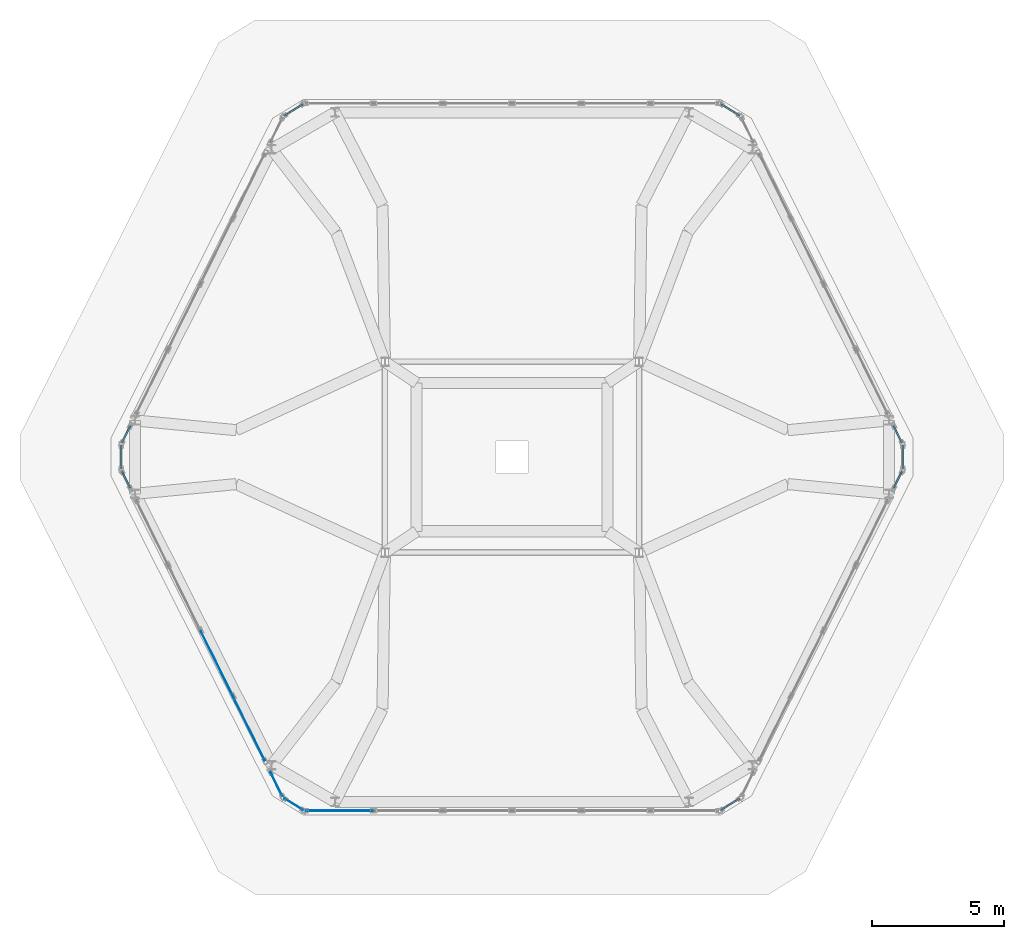
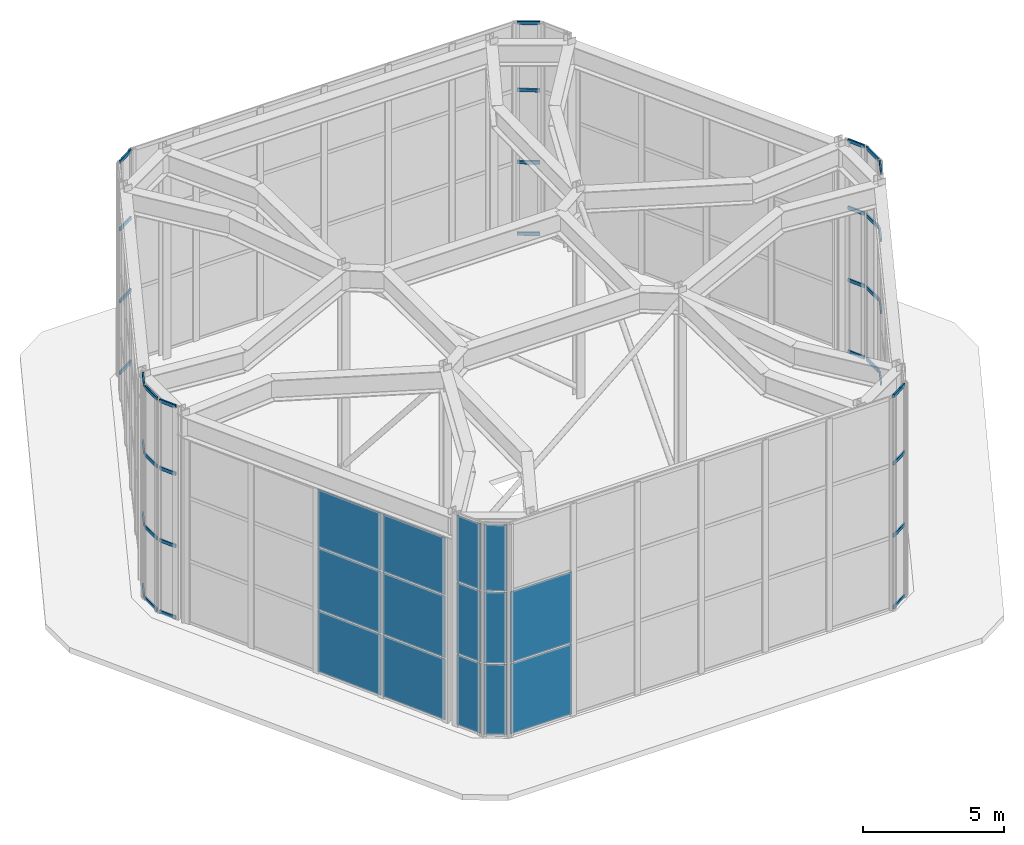
# One storey, part 8 of 10: 36 members, 14 plates, 13 elements without a shape of their own.
"""IFC4 building model written with IfcOpenShell, lengths in metres."""

from ifc_helpers import new_model, si_unit, direction, frame, origin, origin_2d, place, context, subcontext, project, spatial, rectangle, hollow_rectangle, extrude, material, layer, layer_set, material_profile, profile_set, type_object, element, aggregate, save


model = new_model("IFC4")

# Units and contexts
model_context = context("Model", 3, precision=1e-05, world=origin(), true_north=direction((0.0, 1.0)))
body_context = subcontext(model_context, "Body", "Model", "MODEL_VIEW")
ifc_project = project(units=[si_unit("LENGTHUNIT", "METRE"), si_unit("AREAUNIT", "SQUARE_METRE"), si_unit("VOLUMEUNIT", "CUBIC_METRE"), si_unit("PLANEANGLEUNIT", "RADIAN"), si_unit("MASSUNIT", "GRAM", prefix="KILO")], contexts=[model_context])

# Site, building, storey
site_placement = place(None, origin())
site = spatial("IfcSite", under=ifc_project, at=site_placement, CompositionType="ELEMENT")
building_placement = place(site_placement, origin())
building = spatial("IfcBuilding", under=site, at=building_placement, Name="Cinnabar Lancet Tower", CompositionType="ELEMENT")
storey_placement = place(building_placement, frame((0.0, 0.0, 314.675048828125)))
storey = spatial("IfcBuildingStorey", under=building, at=storey_placement, Name="L81", CompositionType="ELEMENT", Elevation=314.675048828125)

# Curtain wall, members
ifc_material_1 = material(Name="Thermally broken bronze-anodized aluminium and low-E glass", Category="aluminium")
ifc_layer_1 = layer(ifc_material_1, 0.179931640625)
ifc_layer_set_1 = layer_set([ifc_layer_1], Name="Thermally broken bronze-anodized aluminium and low-E glass")
curtain_wall_type = type_object("IfcCurtainWallType", Name="ENV-CW-SYS-05", PredefinedType="NOTDEFINED", material=ifc_layer_set_1)
curtain_wall_1_placement = place(storey_placement, origin())
curtain_wall_1 = element("IfcCurtainWall", 1, at=curtain_wall_1_placement, inside=storey, type_object=curtain_wall_type, Name="L81 Faceted Lancet Crown Curtain Wall 3", PredefinedType="NOTDEFINED")
ifc_material_2 = material(Name="Anodized architectural aluminium 6063-T6", Category="aluminium")
ifc_material_profile = material_profile(ifc_material_2, hollow_rectangle(XDim=0.06494140625, YDim=0.14990234375, WallThickness=0.00390625, InnerFilletRadius=0.001953125, OuterFilletRadius=0.006103515625, at=origin_2d()), Name="CW-TRN 150x65x4")
ifc_profile_set = profile_set([ifc_material_profile], Name="Anodized architectural aluminium 6063-T6")
member_type = type_object("IfcMemberType", Name="ENV-CW-TRN-160", PredefinedType="USERDEFINED", material=ifc_profile_set)
member_1_placement = place(storey_placement, frame((40.294921875, 12.481689453125, 0.030029296875), z_axis=(0.849259877665, 0.527975056408, 0.0), x_axis=(-0.527975056408, 0.849259877665, 0.0)))
member_1 = element("IfcMember", 2, at=member_1_placement, type_object=member_type, Name="CW-05 transom 1.1", ObjectType="TRANSOM", PredefinedType="USERDEFINED", context=body_context, shape_type="SweptSolid", body=[
    extrude(hollow_rectangle(XDim=0.06494140625, YDim=0.14990234375, WallThickness=0.00390625, InnerFilletRadius=0.001953125, OuterFilletRadius=0.006103515625, at=origin_2d()), origin(), (0.0, 0.0, 1.0), 0.813720703125),
])
member_2_placement = place(storey_placement, frame((40.294921875, 12.481689453125, 3.119873046875), z_axis=(0.849259877665, 0.527975056408, 0.0), x_axis=(-0.527975056408, 0.849259877665, 0.0)))
member_2 = element("IfcMember", 3, at=member_2_placement, type_object=member_type, Name="CW-05 transom 1.2", ObjectType="TRANSOM", PredefinedType="USERDEFINED", context=body_context, shape_type="SweptSolid", body=[
    extrude(hollow_rectangle(XDim=0.06494140625, YDim=0.14990234375, WallThickness=0.00390625, InnerFilletRadius=0.001953125, OuterFilletRadius=0.006103515625, at=origin_2d()), origin(), (0.0, 0.0, 1.0), 0.813720703125),
])
member_3_placement = place(storey_placement, frame((40.294921875, 12.481689453125, 6.239013671875), z_axis=(0.849259877665, 0.527975056408, 0.0), x_axis=(-0.527975056408, 0.849259877665, 0.0)))
member_3 = element("IfcMember", 4, at=member_3_placement, type_object=member_type, Name="CW-05 transom 1.3", ObjectType="TRANSOM", PredefinedType="USERDEFINED", context=body_context, shape_type="SweptSolid", body=[
    extrude(hollow_rectangle(XDim=0.06494140625, YDim=0.14990234375, WallThickness=0.00390625, InnerFilletRadius=0.001953125, OuterFilletRadius=0.006103515625, at=origin_2d()), origin(), (0.0, 0.0, 1.0), 0.813720703125),
])
member_4_placement = place(storey_placement, frame((40.294921875, 12.481689453125, 9.14501953125), z_axis=(0.849259877665, 0.527975056408, 0.0), x_axis=(-0.527975056408, 0.849259877665, 0.0)))
member_4 = element("IfcMember", 5, at=member_4_placement, type_object=member_type, Name="CW-05 transom 1.4", ObjectType="TRANSOM", PredefinedType="USERDEFINED", context=body_context, shape_type="SweptSolid", body=[
    extrude(hollow_rectangle(XDim=0.06494140625, YDim=0.14990234375, WallThickness=0.00390625, InnerFilletRadius=0.001953125, OuterFilletRadius=0.006103515625, at=origin_2d()), origin(), (0.0, 0.0, 1.0), 0.813720703125),
])
aggregate(curtain_wall_1, [member_1, member_2, member_3, member_4])

curtain_wall_2_placement = place(storey_placement, origin())
curtain_wall_2 = element("IfcCurtainWall", 6, at=curtain_wall_2_placement, inside=storey, type_object=curtain_wall_type, Name="L81 Faceted Lancet Crown Curtain Wall 6", PredefinedType="NOTDEFINED")
member_5_placement = place(storey_placement, frame((46.8125, 24.6337890625, 0.030029296875), z_axis=(0.442825912103, 0.896607612933, 0.0), x_axis=(-0.896607612933, 0.442825912103, 0.0)))
member_5 = element("IfcMember", 7, at=member_5_placement, type_object=member_type, Name="CW-05 transom 1.1", ObjectType="TRANSOM", PredefinedType="USERDEFINED", context=body_context, shape_type="SweptSolid", body=[
    extrude(hollow_rectangle(XDim=0.06494140625, YDim=0.14990234375, WallThickness=0.00390625, InnerFilletRadius=0.001953125, OuterFilletRadius=0.006103515625, at=origin_2d()), origin(), (0.0, 0.0, 1.0), 0.69091796875),
])
member_6_placement = place(storey_placement, frame((46.8125, 24.6337890625, 3.119873046875), z_axis=(0.442825912103, 0.896607612933, 0.0), x_axis=(-0.896607612933, 0.442825912103, 0.0)))
member_6 = element("IfcMember", 8, at=member_6_placement, type_object=member_type, Name="CW-05 transom 1.2", ObjectType="TRANSOM", PredefinedType="USERDEFINED", context=body_context, shape_type="SweptSolid", body=[
    extrude(hollow_rectangle(XDim=0.06494140625, YDim=0.14990234375, WallThickness=0.00390625, InnerFilletRadius=0.001953125, OuterFilletRadius=0.006103515625, at=origin_2d()), origin(), (0.0, 0.0, 1.0), 0.69091796875),
])
member_7_placement = place(storey_placement, frame((46.8125, 24.6337890625, 6.239013671875), z_axis=(0.442825912103, 0.896607612933, 0.0), x_axis=(-0.896607612933, 0.442825912103, 0.0)))
member_7 = element("IfcMember", 9, at=member_7_placement, type_object=member_type, Name="CW-05 transom 1.3", ObjectType="TRANSOM", PredefinedType="USERDEFINED", context=body_context, shape_type="SweptSolid", body=[
    extrude(hollow_rectangle(XDim=0.06494140625, YDim=0.14990234375, WallThickness=0.00390625, InnerFilletRadius=0.001953125, OuterFilletRadius=0.006103515625, at=origin_2d()), origin(), (0.0, 0.0, 1.0), 0.69091796875),
])
member_8_placement = place(storey_placement, frame((46.8125, 24.6337890625, 9.14501953125), z_axis=(0.442825912103, 0.896607612933, 0.0), x_axis=(-0.896607612933, 0.442825912103, 0.0)))
member_8 = element("IfcMember", 10, at=member_8_placement, type_object=member_type, Name="CW-05 transom 1.4", ObjectType="TRANSOM", PredefinedType="USERDEFINED", context=body_context, shape_type="SweptSolid", body=[
    extrude(hollow_rectangle(XDim=0.06494140625, YDim=0.14990234375, WallThickness=0.00390625, InnerFilletRadius=0.001953125, OuterFilletRadius=0.006103515625, at=origin_2d()), origin(), (0.0, 0.0, 1.0), 0.69091796875),
])
aggregate(curtain_wall_2, [member_5, member_6, member_7, member_8])

curtain_wall_3_placement = place(storey_placement, origin())
curtain_wall_3 = element("IfcCurtainWall", 11, at=curtain_wall_3_placement, inside=storey, type_object=curtain_wall_type, Name="L81 Faceted Lancet Crown Curtain Wall 7", PredefinedType="NOTDEFINED")
member_9_placement = place(storey_placement, frame((47.14501953125, 25.366943359375, 0.030029296875), z_axis=(0.0, 1.0, 0.0), x_axis=(-1.0, 0.0, 0.0)))
member_9 = element("IfcMember", 12, at=member_9_placement, type_object=member_type, Name="CW-05 transom 1.1", ObjectType="TRANSOM", PredefinedType="USERDEFINED", context=body_context, shape_type="SweptSolid", body=[
    extrude(hollow_rectangle(XDim=0.06494140625, YDim=0.14990234375, WallThickness=0.00390625, InnerFilletRadius=0.001953125, OuterFilletRadius=0.006103515625, at=origin_2d()), origin(), (0.0, 0.0, 1.0), 0.865966796875),
])
member_10_placement = place(storey_placement, frame((47.14501953125, 25.366943359375, 3.119873046875), z_axis=(0.0, 1.0, 0.0), x_axis=(-1.0, 0.0, 0.0)))
member_10 = element("IfcMember", 13, at=member_10_placement, type_object=member_type, Name="CW-05 transom 1.2", ObjectType="TRANSOM", PredefinedType="USERDEFINED", context=body_context, shape_type="SweptSolid", body=[
    extrude(hollow_rectangle(XDim=0.06494140625, YDim=0.14990234375, WallThickness=0.00390625, InnerFilletRadius=0.001953125, OuterFilletRadius=0.006103515625, at=origin_2d()), origin(), (0.0, 0.0, 1.0), 0.865966796875),
])
member_11_placement = place(storey_placement, frame((47.14501953125, 25.366943359375, 6.239013671875), z_axis=(0.0, 1.0, 0.0), x_axis=(-1.0, 0.0, 0.0)))
member_11 = element("IfcMember", 14, at=member_11_placement, type_object=member_type, Name="CW-05 transom 1.3", ObjectType="TRANSOM", PredefinedType="USERDEFINED", context=body_context, shape_type="SweptSolid", body=[
    extrude(hollow_rectangle(XDim=0.06494140625, YDim=0.14990234375, WallThickness=0.00390625, InnerFilletRadius=0.001953125, OuterFilletRadius=0.006103515625, at=origin_2d()), origin(), (0.0, 0.0, 1.0), 0.865966796875),
])
member_12_placement = place(storey_placement, frame((47.14501953125, 25.366943359375, 9.14501953125), z_axis=(0.0, 1.0, 0.0), x_axis=(-1.0, 0.0, 0.0)))
member_12 = element("IfcMember", 15, at=member_12_placement, type_object=member_type, Name="CW-05 transom 1.4", ObjectType="TRANSOM", PredefinedType="USERDEFINED", context=body_context, shape_type="SweptSolid", body=[
    extrude(hollow_rectangle(XDim=0.06494140625, YDim=0.14990234375, WallThickness=0.00390625, InnerFilletRadius=0.001953125, OuterFilletRadius=0.006103515625, at=origin_2d()), origin(), (0.0, 0.0, 1.0), 0.865966796875),
])
aggregate(curtain_wall_3, [member_9, member_10, member_11, member_12])

curtain_wall_4_placement = place(storey_placement, origin())
curtain_wall_4 = element("IfcCurtainWall", 16, at=curtain_wall_4_placement, inside=storey, type_object=curtain_wall_type, Name="L81 Faceted Lancet Crown Curtain Wall 8", PredefinedType="NOTDEFINED")
member_13_placement = place(storey_placement, frame((47.118408203125, 26.3466796875, 0.030029296875), z_axis=(-0.442685631837, 0.896676882364, 0.0), x_axis=(-0.896676882364, -0.442685631837, 0.0)))
member_13 = element("IfcMember", 17, at=member_13_placement, type_object=member_type, Name="CW-05 transom 1.1", ObjectType="TRANSOM", PredefinedType="USERDEFINED", context=body_context, shape_type="SweptSolid", body=[
    extrude(hollow_rectangle(XDim=0.06494140625, YDim=0.14990234375, WallThickness=0.00390625, InnerFilletRadius=0.001953125, OuterFilletRadius=0.006103515625, at=origin_2d()), origin(), (0.0, 0.0, 1.0), 0.69091796875),
])
member_14_placement = place(storey_placement, frame((47.118408203125, 26.3466796875, 3.119873046875), z_axis=(-0.442685631837, 0.896676882364, 0.0), x_axis=(-0.896676882364, -0.442685631837, 0.0)))
member_14 = element("IfcMember", 18, at=member_14_placement, type_object=member_type, Name="CW-05 transom 1.2", ObjectType="TRANSOM", PredefinedType="USERDEFINED", context=body_context, shape_type="SweptSolid", body=[
    extrude(hollow_rectangle(XDim=0.06494140625, YDim=0.14990234375, WallThickness=0.00390625, InnerFilletRadius=0.001953125, OuterFilletRadius=0.006103515625, at=origin_2d()), origin(), (0.0, 0.0, 1.0), 0.69091796875),
])
member_15_placement = place(storey_placement, frame((47.118408203125, 26.3466796875, 6.239013671875), z_axis=(-0.442685631837, 0.896676882364, 0.0), x_axis=(-0.896676882364, -0.442685631837, 0.0)))
member_15 = element("IfcMember", 19, at=member_15_placement, type_object=member_type, Name="CW-05 transom 1.3", ObjectType="TRANSOM", PredefinedType="USERDEFINED", context=body_context, shape_type="SweptSolid", body=[
    extrude(hollow_rectangle(XDim=0.06494140625, YDim=0.14990234375, WallThickness=0.00390625, InnerFilletRadius=0.001953125, OuterFilletRadius=0.006103515625, at=origin_2d()), origin(), (0.0, 0.0, 1.0), 0.69091796875),
])
member_16_placement = place(storey_placement, frame((47.118408203125, 26.3466796875, 9.14501953125), z_axis=(-0.442685631837, 0.896676882364, 0.0), x_axis=(-0.896676882364, -0.442685631837, 0.0)))
member_16 = element("IfcMember", 20, at=member_16_placement, type_object=member_type, Name="CW-05 transom 1.4", ObjectType="TRANSOM", PredefinedType="USERDEFINED", context=body_context, shape_type="SweptSolid", body=[
    extrude(hollow_rectangle(XDim=0.06494140625, YDim=0.14990234375, WallThickness=0.00390625, InnerFilletRadius=0.001953125, OuterFilletRadius=0.006103515625, at=origin_2d()), origin(), (0.0, 0.0, 1.0), 0.69091796875),
])
aggregate(curtain_wall_4, [member_13, member_14, member_15, member_16])

curtain_wall_5_placement = place(storey_placement, origin())
curtain_wall_5 = element("IfcCurtainWall", 21, at=curtain_wall_5_placement, inside=storey, type_object=curtain_wall_type, Name="L81 Faceted Lancet Crown Curtain Wall 11", PredefinedType="NOTDEFINED")
member_17_placement = place(storey_placement, frame((40.986083984375, 38.688720703125, 0.030029296875), z_axis=(-0.849259877665, 0.527975056408, 0.0), x_axis=(-0.527975056408, -0.849259877665, 0.0)))
member_17 = element("IfcMember", 22, at=member_17_placement, type_object=member_type, Name="CW-05 transom 1.1", ObjectType="TRANSOM", PredefinedType="USERDEFINED", context=body_context, shape_type="SweptSolid", body=[
    extrude(hollow_rectangle(XDim=0.06494140625, YDim=0.14990234375, WallThickness=0.00390625, InnerFilletRadius=0.001953125, OuterFilletRadius=0.006103515625, at=origin_2d()), origin(), (0.0, 0.0, 1.0), 0.813720703125),
])
member_18_placement = place(storey_placement, frame((40.986083984375, 38.688720703125, 3.119873046875), z_axis=(-0.849259877665, 0.527975056408, 0.0), x_axis=(-0.527975056408, -0.849259877665, 0.0)))
member_18 = element("IfcMember", 23, at=member_18_placement, type_object=member_type, Name="CW-05 transom 1.2", ObjectType="TRANSOM", PredefinedType="USERDEFINED", context=body_context, shape_type="SweptSolid", body=[
    extrude(hollow_rectangle(XDim=0.06494140625, YDim=0.14990234375, WallThickness=0.00390625, InnerFilletRadius=0.001953125, OuterFilletRadius=0.006103515625, at=origin_2d()), origin(), (0.0, 0.0, 1.0), 0.813720703125),
])
member_19_placement = place(storey_placement, frame((40.986083984375, 38.688720703125, 6.239013671875), z_axis=(-0.849259877665, 0.527975056408, 0.0), x_axis=(-0.527975056408, -0.849259877665, 0.0)))
member_19 = element("IfcMember", 24, at=member_19_placement, type_object=member_type, Name="CW-05 transom 1.3", ObjectType="TRANSOM", PredefinedType="USERDEFINED", context=body_context, shape_type="SweptSolid", body=[
    extrude(hollow_rectangle(XDim=0.06494140625, YDim=0.14990234375, WallThickness=0.00390625, InnerFilletRadius=0.001953125, OuterFilletRadius=0.006103515625, at=origin_2d()), origin(), (0.0, 0.0, 1.0), 0.813720703125),
])
member_20_placement = place(storey_placement, frame((40.986083984375, 38.688720703125, 9.14501953125), z_axis=(-0.849259877665, 0.527975056408, 0.0), x_axis=(-0.527975056408, -0.849259877665, 0.0)))
member_20 = element("IfcMember", 25, at=member_20_placement, type_object=member_type, Name="CW-05 transom 1.4", ObjectType="TRANSOM", PredefinedType="USERDEFINED", context=body_context, shape_type="SweptSolid", body=[
    extrude(hollow_rectangle(XDim=0.06494140625, YDim=0.14990234375, WallThickness=0.00390625, InnerFilletRadius=0.001953125, OuterFilletRadius=0.006103515625, at=origin_2d()), origin(), (0.0, 0.0, 1.0), 0.813720703125),
])
aggregate(curtain_wall_5, [member_17, member_18, member_19, member_20])

curtain_wall_6_placement = place(storey_placement, origin())
curtain_wall_6 = element("IfcCurtainWall", 26, at=curtain_wall_6_placement, inside=storey, type_object=curtain_wall_type, Name="L81 Faceted Lancet Crown Curtain Wall 13", PredefinedType="NOTDEFINED")
member_21_placement = place(storey_placement, frame((24.505126953125, 39.118408203125, 0.030029296875), z_axis=(-0.849259877665, -0.527975056408, 0.0), x_axis=(0.527975056408, -0.849259877665, 0.0)))
member_21 = element("IfcMember", 27, at=member_21_placement, type_object=member_type, Name="CW-05 transom 1.1", ObjectType="TRANSOM", PredefinedType="USERDEFINED", context=body_context, shape_type="SweptSolid", body=[
    extrude(hollow_rectangle(XDim=0.06494140625, YDim=0.14990234375, WallThickness=0.00390625, InnerFilletRadius=0.001953125, OuterFilletRadius=0.006103515625, at=origin_2d()), origin(), (0.0, 0.0, 1.0), 0.813720703125),
])
member_22_placement = place(storey_placement, frame((24.505126953125, 39.118408203125, 3.119873046875), z_axis=(-0.849259877665, -0.527975056408, 0.0), x_axis=(0.527975056408, -0.849259877665, 0.0)))
member_22 = element("IfcMember", 28, at=member_22_placement, type_object=member_type, Name="CW-05 transom 1.2", ObjectType="TRANSOM", PredefinedType="USERDEFINED", context=body_context, shape_type="SweptSolid", body=[
    extrude(hollow_rectangle(XDim=0.06494140625, YDim=0.14990234375, WallThickness=0.00390625, InnerFilletRadius=0.001953125, OuterFilletRadius=0.006103515625, at=origin_2d()), origin(), (0.0, 0.0, 1.0), 0.813720703125),
])
member_23_placement = place(storey_placement, frame((24.505126953125, 39.118408203125, 6.239013671875), z_axis=(-0.849259877665, -0.527975056408, 0.0), x_axis=(0.527975056408, -0.849259877665, 0.0)))
member_23 = element("IfcMember", 29, at=member_23_placement, type_object=member_type, Name="CW-05 transom 1.3", ObjectType="TRANSOM", PredefinedType="USERDEFINED", context=body_context, shape_type="SweptSolid", body=[
    extrude(hollow_rectangle(XDim=0.06494140625, YDim=0.14990234375, WallThickness=0.00390625, InnerFilletRadius=0.001953125, OuterFilletRadius=0.006103515625, at=origin_2d()), origin(), (0.0, 0.0, 1.0), 0.813720703125),
])
member_24_placement = place(storey_placement, frame((24.505126953125, 39.118408203125, 9.14501953125), z_axis=(-0.849259877665, -0.527975056408, 0.0), x_axis=(0.527975056408, -0.849259877665, 0.0)))
member_24 = element("IfcMember", 30, at=member_24_placement, type_object=member_type, Name="CW-05 transom 1.4", ObjectType="TRANSOM", PredefinedType="USERDEFINED", context=body_context, shape_type="SweptSolid", body=[
    extrude(hollow_rectangle(XDim=0.06494140625, YDim=0.14990234375, WallThickness=0.00390625, InnerFilletRadius=0.001953125, OuterFilletRadius=0.006103515625, at=origin_2d()), origin(), (0.0, 0.0, 1.0), 0.813720703125),
])
aggregate(curtain_wall_6, [member_21, member_22, member_23, member_24])

curtain_wall_7_placement = place(storey_placement, origin())
curtain_wall_7 = element("IfcCurtainWall", 31, at=curtain_wall_7_placement, inside=storey, type_object=curtain_wall_type, Name="L81 Faceted Lancet Crown Curtain Wall 16", PredefinedType="NOTDEFINED")
member_25_placement = place(storey_placement, frame((17.987548828125, 26.96630859375, 0.030029296875), z_axis=(-0.442685631837, -0.896676882364, 0.0), x_axis=(0.896676882364, -0.442685631837, 0.0)))
member_25 = element("IfcMember", 32, at=member_25_placement, type_object=member_type, Name="CW-05 transom 1.1", ObjectType="TRANSOM", PredefinedType="USERDEFINED", context=body_context, shape_type="SweptSolid", body=[
    extrude(hollow_rectangle(XDim=0.06494140625, YDim=0.14990234375, WallThickness=0.00390625, InnerFilletRadius=0.001953125, OuterFilletRadius=0.006103515625, at=origin_2d()), origin(), (0.0, 0.0, 1.0), 0.69091796875),
])
member_26_placement = place(storey_placement, frame((17.987548828125, 26.96630859375, 3.119873046875), z_axis=(-0.442685631837, -0.896676882364, 0.0), x_axis=(0.896676882364, -0.442685631837, 0.0)))
member_26 = element("IfcMember", 33, at=member_26_placement, type_object=member_type, Name="CW-05 transom 1.2", ObjectType="TRANSOM", PredefinedType="USERDEFINED", context=body_context, shape_type="SweptSolid", body=[
    extrude(hollow_rectangle(XDim=0.06494140625, YDim=0.14990234375, WallThickness=0.00390625, InnerFilletRadius=0.001953125, OuterFilletRadius=0.006103515625, at=origin_2d()), origin(), (0.0, 0.0, 1.0), 0.69091796875),
])
member_27_placement = place(storey_placement, frame((17.987548828125, 26.96630859375, 6.239013671875), z_axis=(-0.442685631837, -0.896676882364, 0.0), x_axis=(0.896676882364, -0.442685631837, 0.0)))
member_27 = element("IfcMember", 34, at=member_27_placement, type_object=member_type, Name="CW-05 transom 1.3", ObjectType="TRANSOM", PredefinedType="USERDEFINED", context=body_context, shape_type="SweptSolid", body=[
    extrude(hollow_rectangle(XDim=0.06494140625, YDim=0.14990234375, WallThickness=0.00390625, InnerFilletRadius=0.001953125, OuterFilletRadius=0.006103515625, at=origin_2d()), origin(), (0.0, 0.0, 1.0), 0.69091796875),
])
member_28_placement = place(storey_placement, frame((17.987548828125, 26.96630859375, 9.14501953125), z_axis=(-0.442685631837, -0.896676882364, 0.0), x_axis=(0.896676882364, -0.442685631837, 0.0)))
member_28 = element("IfcMember", 35, at=member_28_placement, type_object=member_type, Name="CW-05 transom 1.4", ObjectType="TRANSOM", PredefinedType="USERDEFINED", context=body_context, shape_type="SweptSolid", body=[
    extrude(hollow_rectangle(XDim=0.06494140625, YDim=0.14990234375, WallThickness=0.00390625, InnerFilletRadius=0.001953125, OuterFilletRadius=0.006103515625, at=origin_2d()), origin(), (0.0, 0.0, 1.0), 0.69091796875),
])
aggregate(curtain_wall_7, [member_25, member_26, member_27, member_28])

curtain_wall_8_placement = place(storey_placement, origin())
curtain_wall_8 = element("IfcCurtainWall", 36, at=curtain_wall_8_placement, inside=storey, type_object=curtain_wall_type, Name="L81 Faceted Lancet Crown Curtain Wall 17", PredefinedType="NOTDEFINED")
member_29_placement = place(storey_placement, frame((17.655029296875, 26.23291015625, 0.030029296875), z_axis=(0.0, -1.0, 0.0), x_axis=(1.0, 0.0, 0.0)))
member_29 = element("IfcMember", 37, at=member_29_placement, type_object=member_type, Name="CW-05 transom 1.1", ObjectType="TRANSOM", PredefinedType="USERDEFINED", context=body_context, shape_type="SweptSolid", body=[
    extrude(hollow_rectangle(XDim=0.06494140625, YDim=0.14990234375, WallThickness=0.00390625, InnerFilletRadius=0.001953125, OuterFilletRadius=0.006103515625, at=origin_2d()), origin(), (0.0, 0.0, 1.0), 0.865966796875),
])
member_30_placement = place(storey_placement, frame((17.655029296875, 26.23291015625, 3.119873046875), z_axis=(0.0, -1.0, 0.0), x_axis=(1.0, 0.0, 0.0)))
member_30 = element("IfcMember", 38, at=member_30_placement, type_object=member_type, Name="CW-05 transom 1.2", ObjectType="TRANSOM", PredefinedType="USERDEFINED", context=body_context, shape_type="SweptSolid", body=[
    extrude(hollow_rectangle(XDim=0.06494140625, YDim=0.14990234375, WallThickness=0.00390625, InnerFilletRadius=0.001953125, OuterFilletRadius=0.006103515625, at=origin_2d()), origin(), (0.0, 0.0, 1.0), 0.865966796875),
])
member_31_placement = place(storey_placement, frame((17.655029296875, 26.23291015625, 6.239013671875), z_axis=(0.0, -1.0, 0.0), x_axis=(1.0, 0.0, 0.0)))
member_31 = element("IfcMember", 39, at=member_31_placement, type_object=member_type, Name="CW-05 transom 1.3", ObjectType="TRANSOM", PredefinedType="USERDEFINED", context=body_context, shape_type="SweptSolid", body=[
    extrude(hollow_rectangle(XDim=0.06494140625, YDim=0.14990234375, WallThickness=0.00390625, InnerFilletRadius=0.001953125, OuterFilletRadius=0.006103515625, at=origin_2d()), origin(), (0.0, 0.0, 1.0), 0.865966796875),
])
member_32_placement = place(storey_placement, frame((17.655029296875, 26.23291015625, 9.14501953125), z_axis=(0.0, -1.0, 0.0), x_axis=(1.0, 0.0, 0.0)))
member_32 = element("IfcMember", 40, at=member_32_placement, type_object=member_type, Name="CW-05 transom 1.4", ObjectType="TRANSOM", PredefinedType="USERDEFINED", context=body_context, shape_type="SweptSolid", body=[
    extrude(hollow_rectangle(XDim=0.06494140625, YDim=0.14990234375, WallThickness=0.00390625, InnerFilletRadius=0.001953125, OuterFilletRadius=0.006103515625, at=origin_2d()), origin(), (0.0, 0.0, 1.0), 0.865966796875),
])
aggregate(curtain_wall_8, [member_29, member_30, member_31, member_32])

curtain_wall_9_placement = place(storey_placement, origin())
curtain_wall_9 = element("IfcCurtainWall", 41, at=curtain_wall_9_placement, inside=storey, type_object=curtain_wall_type, Name="L81 Faceted Lancet Crown Curtain Wall 18", PredefinedType="NOTDEFINED")
member_33_placement = place(storey_placement, frame((17.681640625, 25.253173828125, 0.030029296875), z_axis=(0.442825912103, -0.896607612933, 0.0), x_axis=(0.896607612933, 0.442825912103, 0.0)))
member_33 = element("IfcMember", 42, at=member_33_placement, type_object=member_type, Name="CW-05 transom 1.1", ObjectType="TRANSOM", PredefinedType="USERDEFINED", context=body_context, shape_type="SweptSolid", body=[
    extrude(hollow_rectangle(XDim=0.06494140625, YDim=0.14990234375, WallThickness=0.00390625, InnerFilletRadius=0.001953125, OuterFilletRadius=0.006103515625, at=origin_2d()), origin(), (0.0, 0.0, 1.0), 0.69091796875),
])
member_34_placement = place(storey_placement, frame((17.681640625, 25.253173828125, 3.119873046875), z_axis=(0.442825912103, -0.896607612933, 0.0), x_axis=(0.896607612933, 0.442825912103, 0.0)))
member_34 = element("IfcMember", 43, at=member_34_placement, type_object=member_type, Name="CW-05 transom 1.2", ObjectType="TRANSOM", PredefinedType="USERDEFINED", context=body_context, shape_type="SweptSolid", body=[
    extrude(hollow_rectangle(XDim=0.06494140625, YDim=0.14990234375, WallThickness=0.00390625, InnerFilletRadius=0.001953125, OuterFilletRadius=0.006103515625, at=origin_2d()), origin(), (0.0, 0.0, 1.0), 0.69091796875),
])
member_35_placement = place(storey_placement, frame((17.681640625, 25.253173828125, 6.239013671875), z_axis=(0.442825912103, -0.896607612933, 0.0), x_axis=(0.896607612933, 0.442825912103, 0.0)))
member_35 = element("IfcMember", 44, at=member_35_placement, type_object=member_type, Name="CW-05 transom 1.3", ObjectType="TRANSOM", PredefinedType="USERDEFINED", context=body_context, shape_type="SweptSolid", body=[
    extrude(hollow_rectangle(XDim=0.06494140625, YDim=0.14990234375, WallThickness=0.00390625, InnerFilletRadius=0.001953125, OuterFilletRadius=0.006103515625, at=origin_2d()), origin(), (0.0, 0.0, 1.0), 0.69091796875),
])
member_36_placement = place(storey_placement, frame((17.681640625, 25.253173828125, 9.14501953125), z_axis=(0.442825912103, -0.896607612933, 0.0), x_axis=(0.896607612933, 0.442825912103, 0.0)))
member_36 = element("IfcMember", 45, at=member_36_placement, type_object=member_type, Name="CW-05 transom 1.4", ObjectType="TRANSOM", PredefinedType="USERDEFINED", context=body_context, shape_type="SweptSolid", body=[
    extrude(hollow_rectangle(XDim=0.06494140625, YDim=0.14990234375, WallThickness=0.00390625, InnerFilletRadius=0.001953125, OuterFilletRadius=0.006103515625, at=origin_2d()), origin(), (0.0, 0.0, 1.0), 0.69091796875),
])
aggregate(curtain_wall_9, [member_33, member_34, member_35, member_36])

# Curtain wall, plates
curtain_wall_10_placement = place(storey_placement, origin())
curtain_wall_10 = element("IfcCurtainWall", 46, at=curtain_wall_10_placement, inside=storey, type_object=curtain_wall_type, Name="L81 Faceted Lancet Crown Curtain Wall 1", PredefinedType="NOTDEFINED")
ifc_material_3 = material(Name="Acoustic solar-control low-E laminated glass unit", Category="glass")
ifc_layer_2 = layer(ifc_material_3, 0.035888671875)
ifc_layer_set_2 = layer_set([ifc_layer_2], Name="Acoustic solar-control low-E laminated glass unit")
plate_type = type_object("IfcPlateType", Name="ENV-CW-PNL-36", PredefinedType="CURTAIN_PANEL", material=ifc_layer_set_2)
plate_1_placement = place(storey_placement, frame((24.159423828125, 12.696533203125, 0.06005859375), z_axis=(0.0, 0.0, 1.0), x_axis=(0.849259368802, -0.527975874925, 0.0)))
plate_1 = element("IfcPlate", 47, at=plate_1_placement, type_object=plate_type, Name="CW-05 panel 1.1", PredefinedType="CURTAIN_PANEL", context=body_context, shape_type="SweptSolid", body=[
    extrude(rectangle(XDim=0.813720703125, YDim=0.028076171875, at=origin_2d()), origin(), (0.0, 0.0, 1.0), 3.030029296875),
])
plate_2_placement = place(storey_placement, frame((24.159423828125, 12.696533203125, 3.14990234375), z_axis=(0.0, 0.0, 1.0), x_axis=(0.849259368802, -0.527975874925, 0.0)))
plate_2 = element("IfcPlate", 48, at=plate_2_placement, type_object=plate_type, Name="CW-05 panel 1.2", PredefinedType="CURTAIN_PANEL", context=body_context, shape_type="SweptSolid", body=[
    extrude(rectangle(XDim=0.813720703125, YDim=0.028076171875, at=origin_2d()), origin(), (0.0, 0.0, 1.0), 3.05908203125),
])
plate_3_placement = place(storey_placement, frame((24.159423828125, 12.696533203125, 6.26904296875), z_axis=(0.0, 0.0, 1.0), x_axis=(0.849259368802, -0.527975874925, 0.0)))
plate_3 = element("IfcPlate", 49, at=plate_3_placement, type_object=plate_type, Name="CW-05 panel 1.3", PredefinedType="CURTAIN_PANEL", context=body_context, shape_type="SweptSolid", body=[
    extrude(rectangle(XDim=0.813720703125, YDim=0.028076171875, at=origin_2d()), origin(), (0.0, 0.0, 1.0), 2.845947265625),
])
aggregate(curtain_wall_10, [plate_1, plate_2, plate_3])

curtain_wall_11_placement = place(storey_placement, origin())
curtain_wall_11 = element("IfcCurtainWall", 50, at=curtain_wall_11_placement, inside=storey, type_object=curtain_wall_type, Name="L81 Faceted Lancet Crown Curtain Wall 2", PredefinedType="NOTDEFINED")
plate_4_placement = place(storey_placement, frame((25.87841796875, 12.449951171875, 0.06005859375), z_axis=(0.0, 0.0, 1.0), x_axis=(1.0, 0.0, 0.0)))
plate_4 = element("IfcPlate", 51, at=plate_4_placement, type_object=plate_type, Name="CW-05 panel 1.1", PredefinedType="CURTAIN_PANEL", context=body_context, shape_type="SweptSolid", body=[
    extrude(rectangle(XDim=2.524658203125, YDim=0.028076171875, at=origin_2d()), origin(), (0.0, 0.0, 1.0), 3.030029296875),
])
plate_5_placement = place(storey_placement, frame((25.87841796875, 12.449951171875, 3.14990234375), z_axis=(0.0, 0.0, 1.0), x_axis=(1.0, 0.0, 0.0)))
plate_5 = element("IfcPlate", 52, at=plate_5_placement, type_object=plate_type, Name="CW-05 panel 1.2", PredefinedType="CURTAIN_PANEL", context=body_context, shape_type="SweptSolid", body=[
    extrude(rectangle(XDim=2.524658203125, YDim=0.028076171875, at=origin_2d()), origin(), (0.0, 0.0, 1.0), 3.05908203125),
])
aggregate(curtain_wall_11, [plate_4, plate_5])

curtain_wall_12_placement = place(storey_placement, origin())
curtain_wall_12 = element("IfcCurtainWall", 53, at=curtain_wall_12_placement, inside=storey, type_object=curtain_wall_type, Name="L81 Faceted Lancet Crown Curtain Wall 19", PredefinedType="NOTDEFINED")
plate_6_placement = place(storey_placement, frame((21.256591796875, 18.01611328125, 0.06005859375), z_axis=(0.0, 0.0, 1.0), x_axis=(0.442939207335, -0.896551648599, 0.0)))
plate_6 = element("IfcPlate", 54, at=plate_6_placement, type_object=plate_type, Name="CW-05 panel 3.1", PredefinedType="CURTAIN_PANEL", context=body_context, shape_type="SweptSolid", body=[
    extrude(rectangle(XDim=2.703857421875, YDim=0.028076171875, at=origin_2d()), origin(), (0.0, 0.0, 1.0), 2.6279296875),
])
plate_7_placement = place(storey_placement, frame((21.256591796875, 18.01611328125, 2.748046875), z_axis=(0.0, 0.0, 1.0), x_axis=(0.442939207335, -0.896551648599, 0.0)))
plate_7 = element("IfcPlate", 55, at=plate_7_placement, type_object=plate_type, Name="CW-05 panel 3.2", PredefinedType="CURTAIN_PANEL", context=body_context, shape_type="SweptSolid", body=[
    extrude(rectangle(XDim=2.703857421875, YDim=0.028076171875, at=origin_2d()), origin(), (0.0, 0.0, 1.0), 2.657958984375),
])
plate_8_placement = place(storey_placement, frame((21.256591796875, 18.01611328125, 5.4658203125), z_axis=(0.0, 0.0, 1.0), x_axis=(0.442939207335, -0.896551648599, 0.0)))
plate_8 = element("IfcPlate", 56, at=plate_8_placement, type_object=plate_type, Name="CW-05 panel 3.3", PredefinedType="CURTAIN_PANEL", context=body_context, shape_type="SweptSolid", body=[
    extrude(rectangle(XDim=2.703857421875, YDim=0.028076171875, at=origin_2d()), origin(), (0.0, 0.0, 1.0), 2.468017578125),
])
plate_9_placement = place(storey_placement, frame((22.47412109375, 15.551513671875, 0.06005859375), z_axis=(0.0, 0.0, 1.0), x_axis=(0.442939207335, -0.896551648599, 0.0)))
plate_9 = element("IfcPlate", 57, at=plate_9_placement, type_object=plate_type, Name="CW-05 panel 4.1", PredefinedType="CURTAIN_PANEL", context=body_context, shape_type="SweptSolid", body=[
    extrude(rectangle(XDim=2.673828125, YDim=0.028076171875, at=origin_2d()), origin(), (0.0, 0.0, 1.0), 2.6279296875),
])
plate_10_placement = place(storey_placement, frame((22.47412109375, 15.551513671875, 2.748046875), z_axis=(0.0, 0.0, 1.0), x_axis=(0.442939207335, -0.896551648599, 0.0)))
plate_10 = element("IfcPlate", 58, at=plate_10_placement, type_object=plate_type, Name="CW-05 panel 4.2", PredefinedType="CURTAIN_PANEL", context=body_context, shape_type="SweptSolid", body=[
    extrude(rectangle(XDim=2.673828125, YDim=0.028076171875, at=origin_2d()), origin(), (0.0, 0.0, 1.0), 2.657958984375),
])
plate_11_placement = place(storey_placement, frame((22.47412109375, 15.551513671875, 5.4658203125), z_axis=(0.0, 0.0, 1.0), x_axis=(0.442939207335, -0.896551648599, 0.0)))
plate_11 = element("IfcPlate", 59, at=plate_11_placement, type_object=plate_type, Name="CW-05 panel 4.3", PredefinedType="CURTAIN_PANEL", context=body_context, shape_type="SweptSolid", body=[
    extrude(rectangle(XDim=2.673828125, YDim=0.028076171875, at=origin_2d()), origin(), (0.0, 0.0, 1.0), 2.468017578125),
])
aggregate(curtain_wall_12, [plate_6, plate_7, plate_8, plate_9, plate_10, plate_11])

curtain_wall_13_placement = place(storey_placement, origin())
curtain_wall_13 = element("IfcCurtainWall", 60, at=curtain_wall_13_placement, inside=storey, type_object=curtain_wall_type, Name="L81 Faceted Lancet Crown Curtain Wall 20", PredefinedType="NOTDEFINED")
plate_12_placement = place(storey_placement, frame((23.509521484375, 13.45556640625, 0.06005859375), z_axis=(0.0, 0.0, 1.0), x_axis=(0.443361742062, -0.896342772424, 0.0)))
plate_12 = element("IfcPlate", 61, at=plate_12_placement, type_object=plate_type, Name="CW-05 panel 1.1", PredefinedType="CURTAIN_PANEL", context=body_context, shape_type="SweptSolid", body=[
    extrude(rectangle(XDim=1.0234375, YDim=0.028076171875, at=origin_2d()), origin(), (0.0, 0.0, 1.0), 3.030029296875),
])
plate_13_placement = place(storey_placement, frame((23.509521484375, 13.45556640625, 3.14990234375), z_axis=(0.0, 0.0, 1.0), x_axis=(0.443361742062, -0.896342772424, 0.0)))
plate_13 = element("IfcPlate", 62, at=plate_13_placement, type_object=plate_type, Name="CW-05 panel 1.2", PredefinedType="CURTAIN_PANEL", context=body_context, shape_type="SweptSolid", body=[
    extrude(rectangle(XDim=1.0234375, YDim=0.028076171875, at=origin_2d()), origin(), (0.0, 0.0, 1.0), 3.05908203125),
])
plate_14_placement = place(storey_placement, frame((23.509521484375, 13.45556640625, 6.26904296875), z_axis=(0.0, 0.0, 1.0), x_axis=(0.443361742062, -0.896342772424, 0.0)))
plate_14 = element("IfcPlate", 63, at=plate_14_placement, type_object=plate_type, Name="CW-05 panel 1.3", PredefinedType="CURTAIN_PANEL", context=body_context, shape_type="SweptSolid", body=[
    extrude(rectangle(XDim=1.0234375, YDim=0.028076171875, at=origin_2d()), origin(), (0.0, 0.0, 1.0), 2.845947265625),
])
aggregate(curtain_wall_13, [plate_12, plate_13, plate_14])

save(model, "model.ifc")
